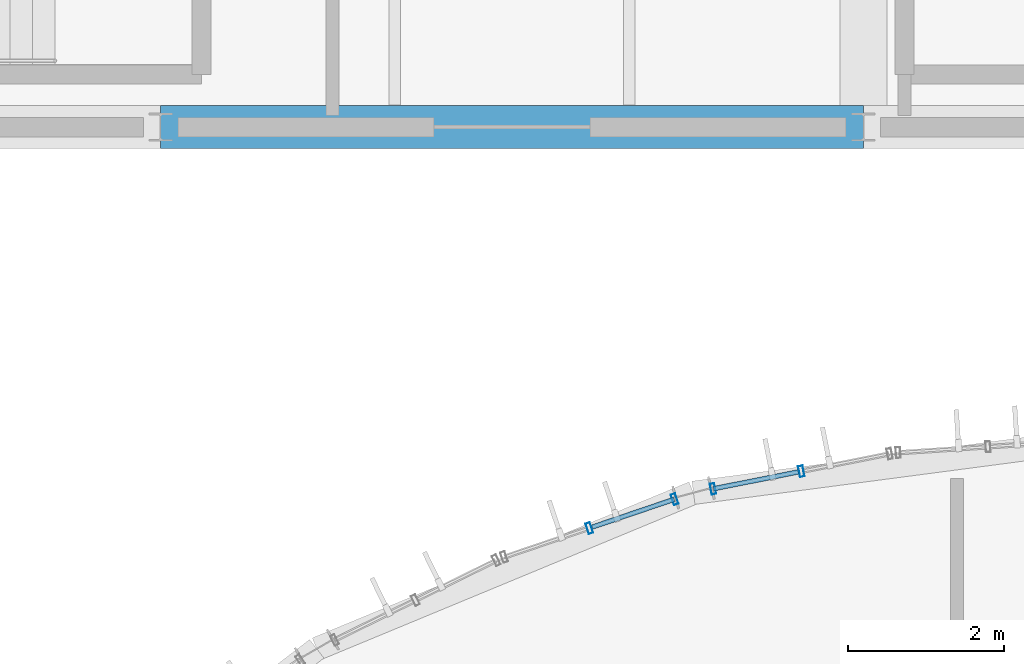
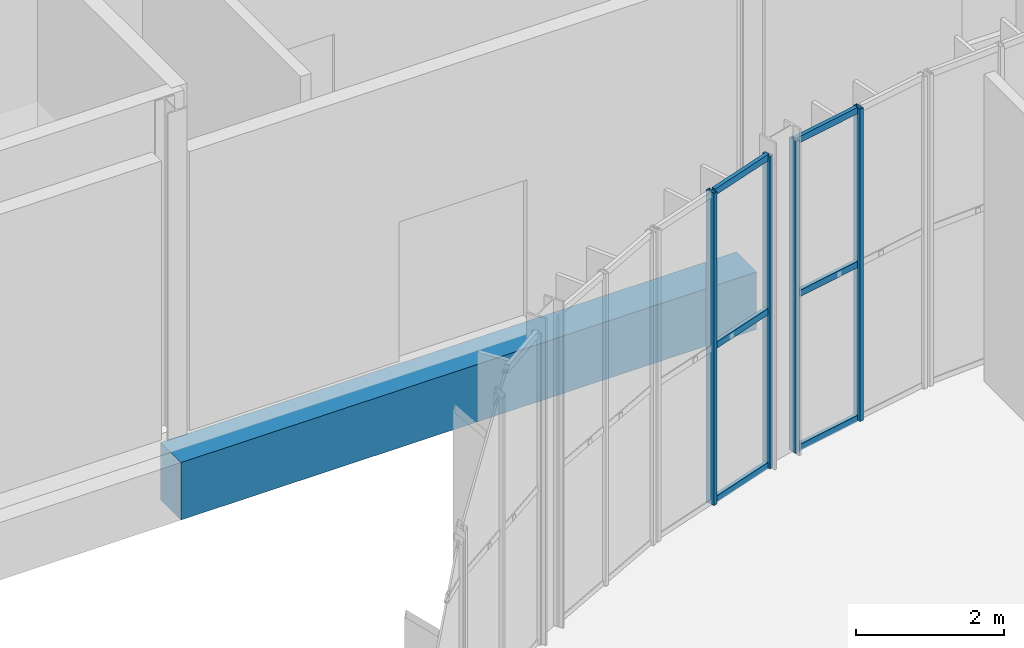
# One storey, part 59 of 158: 10 members, 1 beam, 2 elements without a shape of their own.
"""IFC4 building model written with IfcOpenShell, lengths in metres."""

from ifc_helpers import new_model, si_unit, derived_unit, direction, frame, origin, origin_2d, place, context, subcontext, project, spatial, rectangle, hollow_rectangle, extrude, material, material_profile, profile_set, type_object, element, aggregate, save


model = new_model("IFC4")

# Units and contexts
model_context = context("Model", 3, precision=1e-05, world=origin(), true_north=direction((0.0, 1.0)))
body_context = subcontext(model_context, "Body", "Model", "MODEL_VIEW")
ifc_project = project(units=[si_unit("LENGTHUNIT", "METRE"), si_unit("AREAUNIT", "SQUARE_METRE"), si_unit("VOLUMEUNIT", "CUBIC_METRE"), si_unit("PLANEANGLEUNIT", "RADIAN"), si_unit("MASSUNIT", "GRAM", prefix="KILO"), si_unit("THERMODYNAMICTEMPERATUREUNIT", "KELVIN"), si_unit("TIMEUNIT", "SECOND"), derived_unit("THERMALTRANSMITTANCEUNIT", [(si_unit("MASSUNIT", "GRAM", prefix="KILO"), 1), (si_unit("THERMODYNAMICTEMPERATUREUNIT", "KELVIN"), -1), (si_unit("TIMEUNIT", "SECOND"), -3)])], contexts=[model_context])

# Site, building, storey
site_placement = place(None, origin())
site = spatial("IfcSite", under=ifc_project, at=site_placement, CompositionType="ELEMENT")
building_placement = place(site_placement, origin())
building = spatial("IfcBuilding", under=site, at=building_placement, Name="Cambertide Market Hall", CompositionType="ELEMENT")
storey_placement = place(building_placement, origin())
storey = spatial("IfcBuildingStorey", under=building, at=storey_placement, Name="L01", CompositionType="ELEMENT", Elevation=0.0)

# Beam
ifc_material_1 = material(Name="Concrete B35", Category="concrete")
ifc_material_profile_1 = material_profile(ifc_material_1, rectangle(XDim=0.550048828125, YDim=0.949951171875, at=origin_2d()), Name="RC 550x950")
ifc_profile_set_1 = profile_set([ifc_material_profile_1], Name="Concrete B35")
beam_type = type_object("IfcBeamType", Name="Concrete T-Beam RC 550x950", PredefinedType="T_BEAM", material=ifc_profile_set_1)
beam_placement = place(storey_placement, frame((30.0, 96.0, -0.8349609375), z_axis=(1.0, 0.0, 0.0), x_axis=(0.0, 1.0, 0.0)))
element("IfcBeam", 1, at=beam_placement, inside=storey, type_object=beam_type, Name="Level 1 T_Beam BM-V2X-L01-3-1", PredefinedType="T_BEAM", context=body_context, shape_type="SweptSolid", body=[
    extrude(rectangle(XDim=0.550048828125, YDim=0.949951171875, at=origin_2d()), origin(), (0.0, 0.0, 1.0), 9.0),
])

# Curtain wall, members
ifc_material_2 = material(Name="Marine Anodized Aluminium 6063-T6 AA25", Category="aluminium")
curtain_wall_type = type_object("IfcCurtainWallType", Name="Lantern Apse Chord Lower Curtain Wall", PredefinedType="USERDEFINED", material=ifc_material_2)
curtain_wall_1_placement = place(storey_placement, origin())
curtain_wall_1 = element("IfcCurtainWall", 2, at=curtain_wall_1_placement, inside=storey, type_object=curtain_wall_type, Name="Level 1 Curtain Wall CW-V1AW-L01-02", ObjectType="UNITIZED CURTAIN WALL", PredefinedType="USERDEFINED")
ifc_material_3 = material(Name="Champagne Marine Anodized Aluminium 6063-T6 AA25", Category="aluminium")
ifc_material_profile_2 = material_profile(ifc_material_3, hollow_rectangle(XDim=0.06005859375, YDim=0.139892578125, WallThickness=0.00341796875, at=origin_2d()), Name="ALU MULLION 60x140")
ifc_profile_set_2 = profile_set([ifc_material_profile_2], Name="Champagne Marine Anodized Aluminium 6063-T6 AA25")
member_type_1 = type_object("IfcMemberType", Name="Curtain Wall Mullion ALU MULLION 60x140", PredefinedType="MULLION", material=ifc_profile_set_2)
member_1_placement = place(storey_placement, frame((37.07373046875, 91.3681640625, 0.0), z_axis=(0.0, 0.0, 1.0), x_axis=(0.980785330885, 0.195090068226, 0.0)))
member_1 = element("IfcMember", 3, at=member_1_placement, type_object=member_type_1, Name="CW-V1AW-L01-02 Mullion 1", PredefinedType="MULLION", context=body_context, shape_type="SweptSolid", body=[
    extrude(hollow_rectangle(XDim=0.06005859375, YDim=0.139892578125, WallThickness=0.00341796875, at=origin_2d()), origin(), (0.0, 0.0, 1.0), 5.159912109375),
])
member_2_placement = place(storey_placement, frame((38.20458984375, 91.59326171875, 0.0), z_axis=(0.0, 0.0, 1.0), x_axis=(0.980785330885, 0.195090068226, 0.0)))
member_2 = element("IfcMember", 4, at=member_2_placement, type_object=member_type_1, Name="CW-V1AW-L01-02 Mullion 2", PredefinedType="MULLION", context=body_context, shape_type="SweptSolid", body=[
    extrude(hollow_rectangle(XDim=0.06005859375, YDim=0.139892578125, WallThickness=0.00341796875, at=origin_2d()), origin(), (0.0, 0.0, 1.0), 5.159912109375),
])

curtain_wall_2_placement = place(storey_placement, origin())
curtain_wall_2 = element("IfcCurtainWall", 5, at=curtain_wall_2_placement, inside=storey, type_object=curtain_wall_type, Name="Level 1 Curtain Wall CW-V1AW-L01-03", ObjectType="UNITIZED CURTAIN WALL", PredefinedType="USERDEFINED")
member_3_placement = place(storey_placement, frame((35.490234375, 90.865966796875, 0.0), z_axis=(0.0, 0.0, 1.0), x_axis=(0.94693012508, 0.32143947831, 0.0)))
member_3 = element("IfcMember", 6, at=member_3_placement, type_object=member_type_1, Name="CW-V1AW-L01-03 Mullion 2", PredefinedType="MULLION", context=body_context, shape_type="SweptSolid", body=[
    extrude(hollow_rectangle(XDim=0.06005859375, YDim=0.139892578125, WallThickness=0.00341796875, at=origin_2d()), origin(), (0.0, 0.0, 1.0), 5.159912109375),
])
member_4_placement = place(storey_placement, frame((36.58203125, 91.236572265625, 0.0), z_axis=(0.0, 0.0, 1.0), x_axis=(0.94693012508, 0.32143947831, 0.0)))
member_4 = element("IfcMember", 7, at=member_4_placement, type_object=member_type_1, Name="CW-V1AW-L01-03 Mullion 3", PredefinedType="MULLION", context=body_context, shape_type="SweptSolid", body=[
    extrude(hollow_rectangle(XDim=0.06005859375, YDim=0.139892578125, WallThickness=0.00341796875, at=origin_2d()), origin(), (0.0, 0.0, 1.0), 5.159912109375),
])

# Member
ifc_material_4 = material(Name="Champagne Marine Anodized Aluminium 6063-T6 AA25", Category="aluminium")
ifc_material_profile_3 = material_profile(ifc_material_4, hollow_rectangle(XDim=0.06005859375, YDim=0.10498046875, WallThickness=0.0029296875, at=origin_2d()), Name="ALU TRANSOM 60x105")
ifc_profile_set_3 = profile_set([ifc_material_profile_3], Name="Champagne Marine Anodized Aluminium 6063-T6 AA25")
member_type_2 = type_object("IfcMemberType", Name="Curtain Wall Transom ALU TRANSOM 60x105", PredefinedType="USERDEFINED", material=ifc_profile_set_3)
member_5_placement = place(storey_placement, frame((37.07861328125, 91.369140625, 0.034912109375), z_axis=(0.980758243369, 0.195226197175, 0.0), x_axis=(-0.195226197175, 0.980758243369, 0.0)))
member_5 = element("IfcMember", 8, at=member_5_placement, type_object=member_type_2, Name="CW-V1AW-L01-02 Transom 1-1", ObjectType="TRANSOM", PredefinedType="USERDEFINED", context=body_context, shape_type="SweptSolid", body=[
    extrude(hollow_rectangle(XDim=0.06005859375, YDim=0.10498046875, WallThickness=0.0029296875, at=origin_2d()), origin(), (0.0, 0.0, 1.0), 1.10791015625),
])

member_6_placement = place(storey_placement, frame((37.07861328125, 91.369140625, 2.580078125), z_axis=(0.980758243369, 0.195226197175, 0.0), x_axis=(-0.195226197175, 0.980758243369, 0.0)))
member_6 = element("IfcMember", 9, at=member_6_placement, type_object=member_type_2, Name="CW-V1AW-L01-02 Transom 2-1", ObjectType="TRANSOM", PredefinedType="USERDEFINED", context=body_context, shape_type="SweptSolid", body=[
    extrude(hollow_rectangle(XDim=0.06005859375, YDim=0.10498046875, WallThickness=0.0029296875, at=origin_2d()), origin(), (0.0, 0.0, 1.0), 1.10791015625),
])

member_7_placement = place(storey_placement, frame((37.07861328125, 91.369140625, 5.125), z_axis=(0.980758243369, 0.195226197175, 0.0), x_axis=(-0.195226197175, 0.980758243369, 0.0)))
member_7 = element("IfcMember", 10, at=member_7_placement, type_object=member_type_2, Name="CW-V1AW-L01-02 Transom 3-1", ObjectType="TRANSOM", PredefinedType="USERDEFINED", context=body_context, shape_type="SweptSolid", body=[
    extrude(hollow_rectangle(XDim=0.06005859375, YDim=0.10498046875, WallThickness=0.0029296875, at=origin_2d()), origin(), (0.0, 0.0, 1.0), 1.10791015625),
])

aggregate(curtain_wall_1, [member_1, member_2, member_5, member_6, member_7])

member_8_placement = place(storey_placement, frame((35.528076171875, 90.878662109375, 0.034912109375), z_axis=(0.946928413037, 0.321444521782, 0.0), x_axis=(-0.321444521782, 0.946928413037, 0.0)))
member_8 = element("IfcMember", 11, at=member_8_placement, type_object=member_type_2, Name="CW-V1AW-L01-03 Transom 1-2", ObjectType="TRANSOM", PredefinedType="USERDEFINED", context=body_context, shape_type="SweptSolid", body=[
    extrude(hollow_rectangle(XDim=0.06005859375, YDim=0.10498046875, WallThickness=0.0029296875, at=origin_2d()), origin(), (0.0, 0.0, 1.0), 1.108154296875),
])

member_9_placement = place(storey_placement, frame((35.528076171875, 90.878662109375, 2.580078125), z_axis=(0.946928413037, 0.321444521782, 0.0), x_axis=(-0.321444521782, 0.946928413037, 0.0)))
member_9 = element("IfcMember", 12, at=member_9_placement, type_object=member_type_2, Name="CW-V1AW-L01-03 Transom 2-2", ObjectType="TRANSOM", PredefinedType="USERDEFINED", context=body_context, shape_type="SweptSolid", body=[
    extrude(hollow_rectangle(XDim=0.06005859375, YDim=0.10498046875, WallThickness=0.0029296875, at=origin_2d()), origin(), (0.0, 0.0, 1.0), 1.108154296875),
])

member_10_placement = place(storey_placement, frame((35.528076171875, 90.878662109375, 5.125), z_axis=(0.946928413037, 0.321444521782, 0.0), x_axis=(-0.321444521782, 0.946928413037, 0.0)))
member_10 = element("IfcMember", 13, at=member_10_placement, type_object=member_type_2, Name="CW-V1AW-L01-03 Transom 3-2", ObjectType="TRANSOM", PredefinedType="USERDEFINED", context=body_context, shape_type="SweptSolid", body=[
    extrude(hollow_rectangle(XDim=0.06005859375, YDim=0.10498046875, WallThickness=0.0029296875, at=origin_2d()), origin(), (0.0, 0.0, 1.0), 1.108154296875),
])

aggregate(curtain_wall_2, [member_3, member_4, member_8, member_9, member_10])

save(model, "model.ifc")
